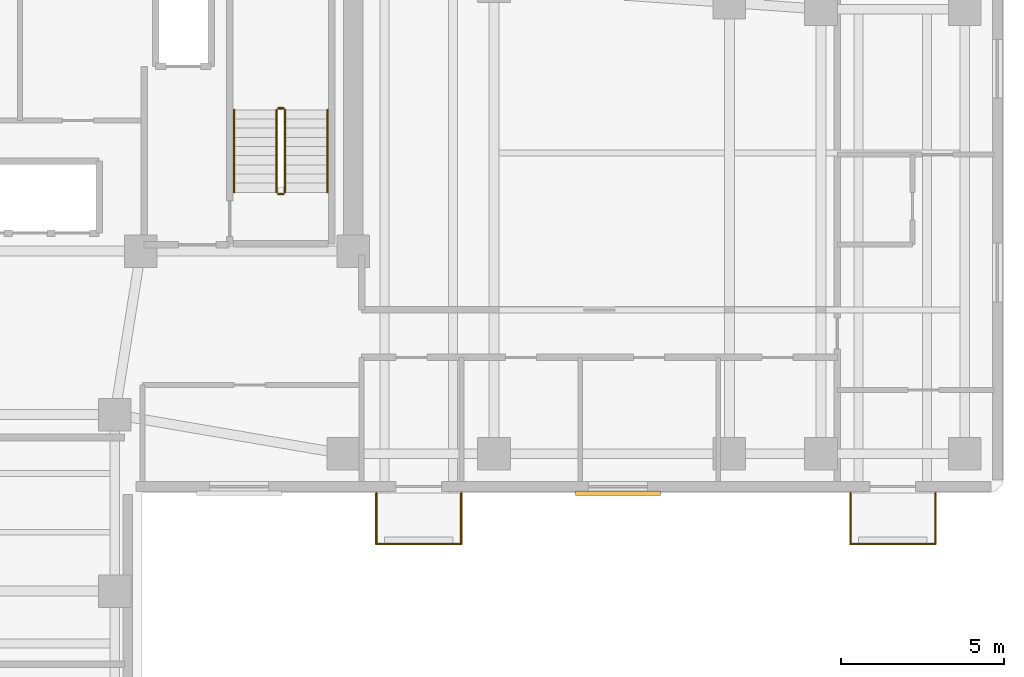
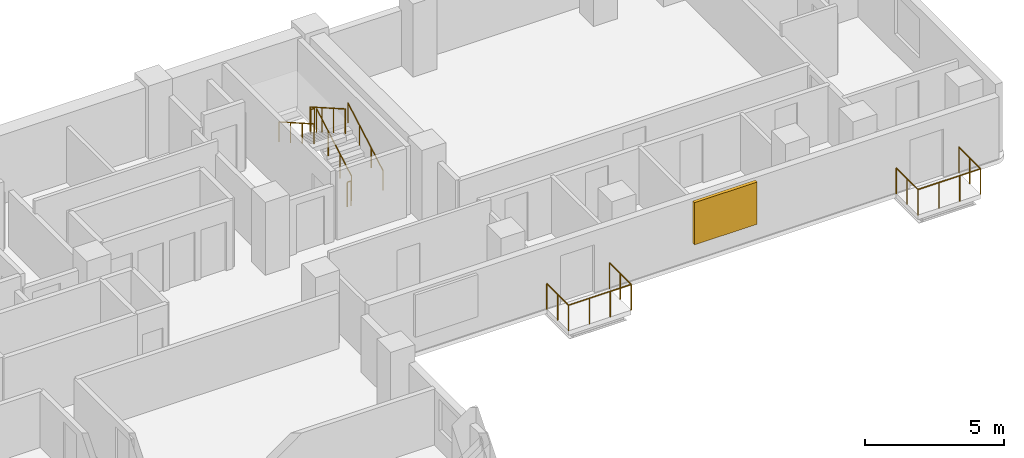
# One storey, part 7 of 7: 12 railings, 1 shading device.
"""IFC4 building model written with IfcOpenShell, lengths in metres."""

from ifc_helpers import new_model, si_unit, direction, frame, origin, origin_2d, place, context, subcontext, project, spatial, rectangle, circle, extrude, material, layer, layer_set, type_object, element, save


model = new_model("IFC4")

# Units and contexts
model_context = context("Model", 3, precision=1e-05, world=origin(), true_north=direction((0.0, 1.0)))
body_context = subcontext(model_context, "Body", "Model", "MODEL_VIEW")
ifc_project = project(units=[si_unit("LENGTHUNIT", "METRE"), si_unit("AREAUNIT", "SQUARE_METRE"), si_unit("VOLUMEUNIT", "CUBIC_METRE"), si_unit("PLANEANGLEUNIT", "RADIAN"), si_unit("MASSUNIT", "GRAM", prefix="KILO")], contexts=[model_context])

# Site, building, storey
site_placement = place(None, origin())
site = spatial("IfcSite", under=ifc_project, at=site_placement, CompositionType="ELEMENT")
building_placement = place(site_placement, origin())
building = spatial("IfcBuilding", under=site, at=building_placement, Name="Kuzgunbayir Cultural Tower", CompositionType="ELEMENT")
storey_placement = place(building_placement, frame((0.0, 0.0, 139.39990234375)))
storey = spatial("IfcBuildingStorey", under=building, at=storey_placement, Name="L40", CompositionType="ELEMENT", Elevation=139.39990234375)

# Railings
ifc_material_1 = material(Name="Laminated Glass and Stainless Steel", Category="steel")
ifc_layer_1 = layer(ifc_material_1, 0.080078125)
ifc_layer_set_1 = layer_set([ifc_layer_1], Name="Laminated Glass and Stainless Steel")
railing_type_1 = type_object("IfcRailingType", Name="RLG-BAL-115", PredefinedType="BALUSTRADE", material=ifc_layer_set_1)
railing_1_placement = place(storey_placement, frame((27.60009765625, 26.39990234375, 0.0)))
element("IfcRailing", 1, at=railing_1_placement, inside=storey, type_object=railing_type_1, Name="L40 Balcony Guard BAL-L40-WB1 Segment 1", PredefinedType="BALUSTRADE", context=body_context, shape_type="SweptSolid", body=[
    extrude(circle(Radius=0.02392578125, at=origin_2d()), frame((0.0, 0.0, 1.1259765625), z_axis=(0.0, -1.0, 0.0), x_axis=(1.0, 0.0, 0.0)), (0.0, 0.0, 1.0), 1.559814453125),
    extrude(circle(Radius=0.02099609375, at=origin_2d()), origin(), (0.0, 0.0, 1.0), 1.101806640625),
    extrude(circle(Radius=0.02099609375, at=origin_2d()), frame((0.0, -0.77978515625, 0.0)), (0.0, 0.0, 1.0), 1.101806640625),
    extrude(circle(Radius=0.02099609375, at=origin_2d()), frame((0.0, -1.559814453125, 0.0)), (0.0, 0.0, 1.0), 1.101806640625),
])
railing_2_placement = place(storey_placement, frame((27.60009765625, 24.840087890625, 0.0)))
element("IfcRailing", 2, at=railing_2_placement, inside=storey, type_object=railing_type_1, Name="L40 Balcony Guard BAL-L40-WB1 Segment 2", PredefinedType="BALUSTRADE", context=body_context, shape_type="SweptSolid", body=[
    extrude(circle(Radius=0.02392578125, at=origin_2d()), frame((0.0, 0.0, 1.1259765625), z_axis=(1.0, 0.0, 0.0), x_axis=(0.0, 1.0, 0.0)), (0.0, 0.0, 1.0), 2.599853515625),
    extrude(circle(Radius=0.02099609375, at=origin_2d()), origin(), (0.0, 0.0, 1.0), 1.101806640625),
    extrude(circle(Radius=0.02099609375, at=origin_2d()), frame((0.86669921875, 0.0, 0.0)), (0.0, 0.0, 1.0), 1.101806640625),
    extrude(circle(Radius=0.02099609375, at=origin_2d()), frame((1.733154296875, 0.0, 0.0)), (0.0, 0.0, 1.0), 1.101806640625),
    extrude(circle(Radius=0.02099609375, at=origin_2d()), frame((2.599853515625, 0.0, 0.0)), (0.0, 0.0, 1.0), 1.101806640625),
])
railing_3_placement = place(storey_placement, frame((30.199951171875, 24.840087890625, 0.0)))
element("IfcRailing", 3, at=railing_3_placement, inside=storey, type_object=railing_type_1, Name="L40 Balcony Guard BAL-L40-WB1 Segment 3", PredefinedType="BALUSTRADE", context=body_context, shape_type="SweptSolid", body=[
    extrude(circle(Radius=0.02392578125, at=origin_2d()), frame((0.0, 0.0, 1.1259765625), z_axis=(0.0, 1.0, 0.0), x_axis=(-1.0, 0.0, 0.0)), (0.0, 0.0, 1.0), 1.559814453125),
    extrude(circle(Radius=0.02099609375, at=origin_2d()), origin(), (0.0, 0.0, 1.0), 1.101806640625),
    extrude(circle(Radius=0.02099609375, at=origin_2d()), frame((0.0, 0.77978515625, 0.0)), (0.0, 0.0, 1.0), 1.101806640625),
    extrude(circle(Radius=0.02099609375, at=origin_2d()), frame((0.0, 1.559814453125, 0.0)), (0.0, 0.0, 1.0), 1.101806640625),
])
railing_4_placement = place(storey_placement, frame((42.10009765625, 26.39990234375, 0.0)))
element("IfcRailing", 4, at=railing_4_placement, inside=storey, type_object=railing_type_1, Name="L40 Balcony Guard BAL-L40-WB3 Segment 1", PredefinedType="BALUSTRADE", context=body_context, shape_type="SweptSolid", body=[
    extrude(circle(Radius=0.02392578125, at=origin_2d()), frame((0.0, 0.0, 1.1259765625), z_axis=(0.0, -1.0, 0.0), x_axis=(1.0, 0.0, 0.0)), (0.0, 0.0, 1.0), 1.559814453125),
    extrude(circle(Radius=0.02099609375, at=origin_2d()), origin(), (0.0, 0.0, 1.0), 1.101806640625),
    extrude(circle(Radius=0.02099609375, at=origin_2d()), frame((0.0, -0.77978515625, 0.0)), (0.0, 0.0, 1.0), 1.101806640625),
    extrude(circle(Radius=0.02099609375, at=origin_2d()), frame((0.0, -1.559814453125, 0.0)), (0.0, 0.0, 1.0), 1.101806640625),
])
railing_5_placement = place(storey_placement, frame((42.10009765625, 24.840087890625, 0.0)))
element("IfcRailing", 5, at=railing_5_placement, inside=storey, type_object=railing_type_1, Name="L40 Balcony Guard BAL-L40-WB3 Segment 2", PredefinedType="BALUSTRADE", context=body_context, shape_type="SweptSolid", body=[
    extrude(circle(Radius=0.02392578125, at=origin_2d()), frame((0.0, 0.0, 1.1259765625), z_axis=(1.0, 0.0, 0.0), x_axis=(0.0, 1.0, 0.0)), (0.0, 0.0, 1.0), 2.599853515625),
    extrude(circle(Radius=0.02099609375, at=origin_2d()), origin(), (0.0, 0.0, 1.0), 1.101806640625),
    extrude(circle(Radius=0.02099609375, at=origin_2d()), frame((0.86669921875, 0.0, 0.0)), (0.0, 0.0, 1.0), 1.101806640625),
    extrude(circle(Radius=0.02099609375, at=origin_2d()), frame((1.733154296875, 0.0, 0.0)), (0.0, 0.0, 1.0), 1.101806640625),
    extrude(circle(Radius=0.02099609375, at=origin_2d()), frame((2.599853515625, 0.0, 0.0)), (0.0, 0.0, 1.0), 1.101806640625),
])
railing_6_placement = place(storey_placement, frame((44.699951171875, 24.840087890625, 0.0)))
element("IfcRailing", 6, at=railing_6_placement, inside=storey, type_object=railing_type_1, Name="L40 Balcony Guard BAL-L40-WB3 Segment 3", PredefinedType="BALUSTRADE", context=body_context, shape_type="SweptSolid", body=[
    extrude(circle(Radius=0.02392578125, at=origin_2d()), frame((0.0, 0.0, 1.1259765625), z_axis=(0.0, 1.0, 0.0), x_axis=(-1.0, 0.0, 0.0)), (0.0, 0.0, 1.0), 1.559814453125),
    extrude(circle(Radius=0.02099609375, at=origin_2d()), origin(), (0.0, 0.0, 1.0), 1.101806640625),
    extrude(circle(Radius=0.02099609375, at=origin_2d()), frame((0.0, 0.77978515625, 0.0)), (0.0, 0.0, 1.0), 1.101806640625),
    extrude(circle(Radius=0.02099609375, at=origin_2d()), frame((0.0, 1.559814453125, 0.0)), (0.0, 0.0, 1.0), 1.101806640625),
])
ifc_material_2 = material(Name="Brushed Stainless Steel", Category="steel")
ifc_layer_2 = layer(ifc_material_2, 0.050048828125)
ifc_layer_set_2 = layer_set([ifc_layer_2], Name="Brushed Stainless Steel")
railing_type_2 = type_object("IfcRailingType", Name="RLG-STAIR-HANDRAIL", PredefinedType="HANDRAIL", material=ifc_layer_set_2)
railing_7_placement = place(storey_placement, frame((26.110107421875, 35.60009765625, 0.16015625)))
element("IfcRailing", 7, at=railing_7_placement, inside=storey, type_object=railing_type_2, Name="L40 ST-2 stair handrail 1", PredefinedType="HANDRAIL", context=body_context, shape_type="SweptSolid", body=[
    extrude(circle(Radius=0.02392578125, at=origin_2d()), frame((0.0, 0.0, 0.8759765625), z_axis=(0.0, 0.868253494771, 0.496120820787), x_axis=(-1.0, 0.0, 0.0)), (0.0, 0.0, 1.0), 2.90234375),
    extrude(circle(Radius=0.02099609375, at=origin_2d()), origin(), (0.0, 0.0, 1.0), 0.851806640625),
    extrude(circle(Radius=0.02099609375, at=origin_2d()), frame((0.0, 0.840087890625, 0.47998046875)), (0.0, 0.0, 1.0), 0.851806640625),
    extrude(circle(Radius=0.02099609375, at=origin_2d()), frame((0.0, 1.679931640625, 0.9599609375)), (0.0, 0.0, 1.0), 0.851806640625),
    extrude(circle(Radius=0.02099609375, at=origin_2d()), frame((0.0, 2.52001953125, 1.43994140625)), (0.0, 0.0, 1.0), 0.851806640625),
])
railing_8_placement = place(storey_placement, frame((23.25, 38.1201171875, 1.760009765625)))
element("IfcRailing", 8, at=railing_8_placement, inside=storey, type_object=railing_type_2, Name="L40 ST-2 stair handrail 2", PredefinedType="HANDRAIL", context=body_context, shape_type="SweptSolid", body=[
    extrude(circle(Radius=0.02392578125, at=origin_2d()), frame((0.0, 0.0, 0.8759765625), z_axis=(0.0, -0.868217259934, 0.496184229447), x_axis=(1.0, 0.0, 0.0)), (0.0, 0.0, 1.0), 2.902587890625),
    extrude(circle(Radius=0.02099609375, at=origin_2d()), origin(), (0.0, 0.0, 1.0), 0.851806640625),
    extrude(circle(Radius=0.02099609375, at=origin_2d()), frame((0.0, -0.840087890625, 0.47998046875)), (0.0, 0.0, 1.0), 0.851806640625),
    extrude(circle(Radius=0.02099609375, at=origin_2d()), frame((0.0, -1.679931640625, 0.960205078125)), (0.0, 0.0, 1.0), 0.851806640625),
    extrude(circle(Radius=0.02099609375, at=origin_2d()), frame((0.0, -2.52001953125, 1.440185546875)), (0.0, 0.0, 1.0), 0.851806640625),
])
ifc_material_3 = material(Name="Painted Steel Balustrade", Category="steel")
ifc_layer_3 = layer(ifc_material_3, 0.06005859375)
ifc_layer_set_3 = layer_set([ifc_layer_3], Name="Painted Steel Balustrade")
railing_type_3 = type_object("IfcRailingType", Name="RLG-WELL-GUARD", PredefinedType="GUARDRAIL", material=ifc_layer_set_3)
railing_9_placement = place(storey_placement, frame((24.81005859375, 35.60009765625, 0.16015625)))
element("IfcRailing", 9, at=railing_9_placement, inside=storey, type_object=railing_type_3, Name="L40 ST-2 stair guard 1", PredefinedType="GUARDRAIL", context=body_context, shape_type="SweptSolid", body=[
    extrude(circle(Radius=0.02392578125, at=origin_2d()), frame((0.0, 0.0, 1.076171875), z_axis=(0.0, 0.868253494771, 0.496120820787), x_axis=(-1.0, 0.0, 0.0)), (0.0, 0.0, 1.0), 2.90234375),
    extrude(circle(Radius=0.02099609375, at=origin_2d()), origin(), (0.0, 0.0, 1.0), 1.052001953125),
    extrude(circle(Radius=0.02099609375, at=origin_2d()), frame((0.0, 0.840087890625, 0.47998046875)), (0.0, 0.0, 1.0), 1.052001953125),
    extrude(circle(Radius=0.02099609375, at=origin_2d()), frame((0.0, 1.679931640625, 0.9599609375)), (0.0, 0.0, 1.0), 1.052001953125),
    extrude(circle(Radius=0.02099609375, at=origin_2d()), frame((0.0, 2.52001953125, 1.43994140625)), (0.0, 0.0, 1.0), 1.052001953125),
])
railing_10_placement = place(storey_placement, frame((24.760009765625, 38.169921875, 1.60009765625)))
element("IfcRailing", 10, at=railing_10_placement, inside=storey, type_object=railing_type_3, Name="L40 ST-2 stair guard 2", PredefinedType="GUARDRAIL", context=body_context, shape_type="SweptSolid", body=[
    extrude(circle(Radius=0.02392578125, at=origin_2d()), frame((0.0, 0.0, 1.076171875), z_axis=(-1.0, 0.0, 0.0), x_axis=(0.0, -1.0, 0.0)), (0.0, 0.0, 1.0), 0.159912109375),
    extrude(circle(Radius=0.02099609375, at=origin_2d()), origin(), (0.0, 0.0, 1.0), 1.052001953125),
    extrude(circle(Radius=0.02099609375, at=origin_2d()), frame((-0.159912109375, 0.0, 0.0)), (0.0, 0.0, 1.0), 1.052001953125),
])
railing_11_placement = place(storey_placement, frame((24.550048828125, 38.1201171875, 1.760009765625)))
element("IfcRailing", 11, at=railing_11_placement, inside=storey, type_object=railing_type_3, Name="L40 ST-2 stair guard 3", PredefinedType="GUARDRAIL", context=body_context, shape_type="SweptSolid", body=[
    extrude(circle(Radius=0.02392578125, at=origin_2d()), frame((0.0, 0.0, 1.076171875), z_axis=(0.0, -0.868217259934, 0.496184229447), x_axis=(1.0, 0.0, 0.0)), (0.0, 0.0, 1.0), 2.902587890625),
    extrude(circle(Radius=0.02099609375, at=origin_2d()), origin(), (0.0, 0.0, 1.0), 1.052001953125),
    extrude(circle(Radius=0.02099609375, at=origin_2d()), frame((0.0, -0.840087890625, 0.47998046875)), (0.0, 0.0, 1.0), 1.052001953125),
    extrude(circle(Radius=0.02099609375, at=origin_2d()), frame((0.0, -1.679931640625, 0.960205078125)), (0.0, 0.0, 1.0), 1.052001953125),
    extrude(circle(Radius=0.02099609375, at=origin_2d()), frame((0.0, -2.52001953125, 1.440185546875)), (0.0, 0.0, 1.0), 1.052001953125),
])
railing_12_placement = place(storey_placement, frame((24.760009765625, 35.550048828125, 0.0)))
element("IfcRailing", 12, at=railing_12_placement, inside=storey, type_object=railing_type_3, Name="L40 ST-2 stair guard 4", PredefinedType="GUARDRAIL", context=body_context, shape_type="SweptSolid", body=[
    extrude(circle(Radius=0.02392578125, at=origin_2d()), frame((0.0, 0.0, 1.076171875), z_axis=(-1.0, 0.0, 0.0), x_axis=(0.0, -1.0, 0.0)), (0.0, 0.0, 1.0), 0.159912109375),
    extrude(circle(Radius=0.02099609375, at=origin_2d()), origin(), (0.0, 0.0, 1.0), 1.052001953125),
    extrude(circle(Radius=0.02099609375, at=origin_2d()), frame((-0.159912109375, 0.0, 0.0)), (0.0, 0.0, 1.0), 1.052001953125),
])

# Shading device
ifc_material_4 = material(Name="Perforated Bronze-Anodised Aluminium", Category="aluminium")
shading_device_type = type_object("IfcShadingDeviceType", Name="SHD-SOLAR-BRONZE", PredefinedType="JALOUSIE", material=ifc_material_4)
shading_device_placement = place(storey_placement, frame((34.989990234375, 26.39990234375, 0.735107421875), z_axis=(0.0, 0.0, 1.0), x_axis=(1.0, 0.0, 0.0)))
element("IfcShadingDevice", 13, at=shading_device_placement, inside=storey, type_object=shading_device_type, Name="L40 Solar Screen WBS13", PredefinedType="JALOUSIE", context=body_context, shape_type="SweptSolid", body=[
    extrude(rectangle(XDim=2.60009765625, YDim=0.139892578125, at=origin_2d()), origin(), (0.0, 0.0, 1.0), 1.85009765625),
])

save(model, "model.ifc")
